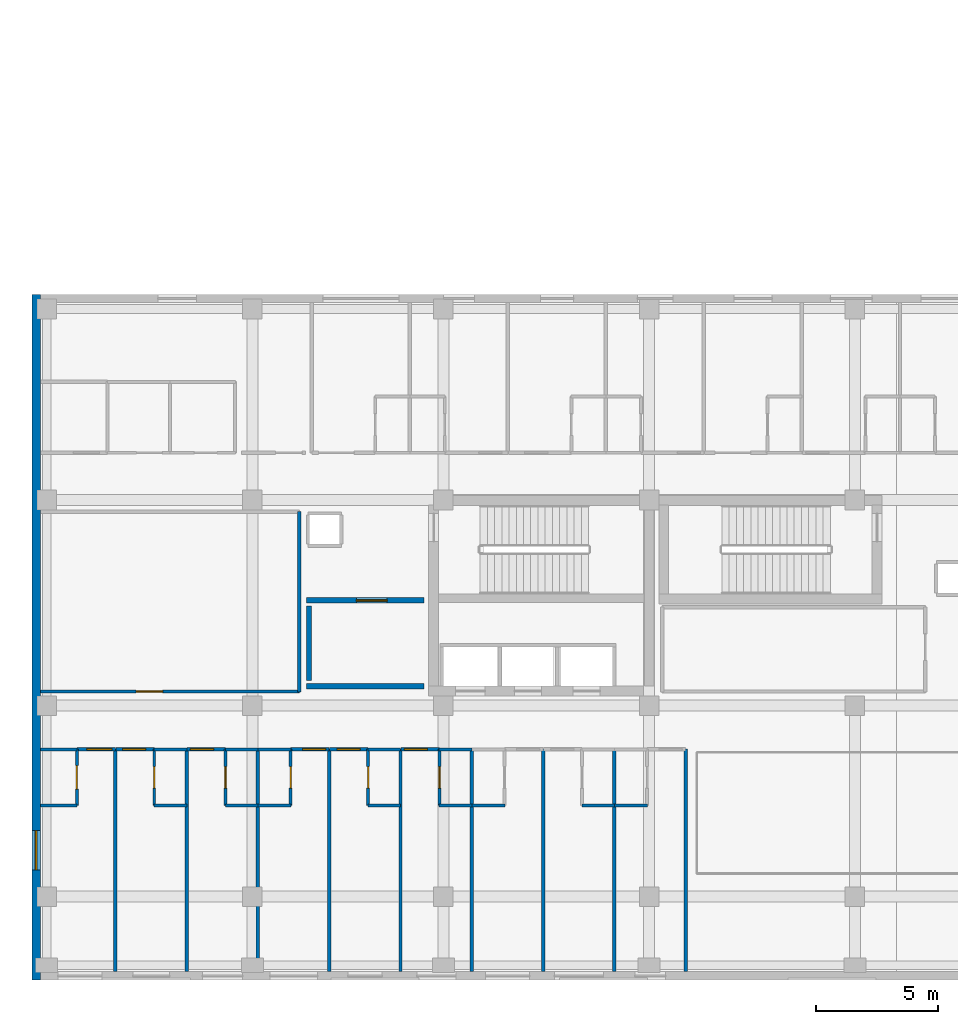
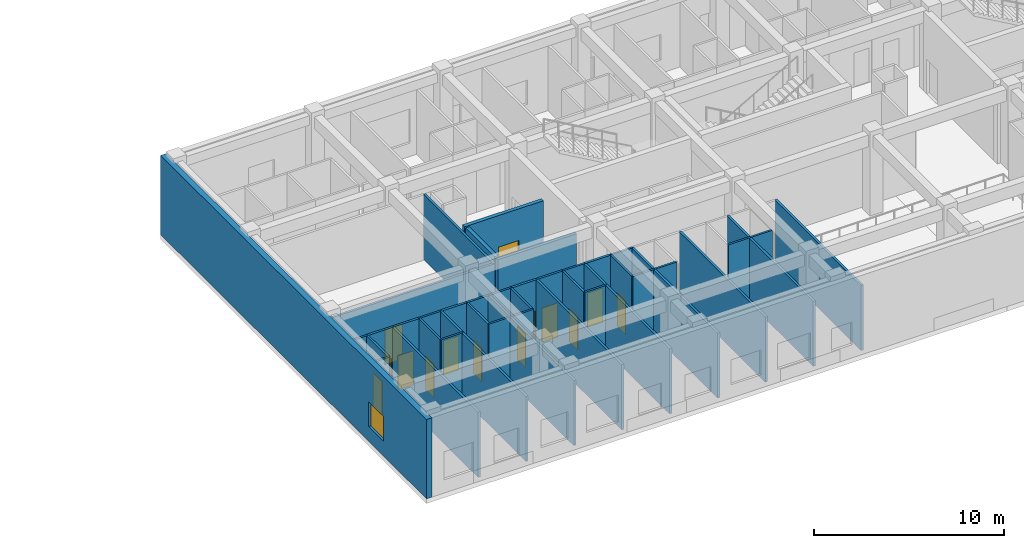
# One storey, part 101 of 139: 42 walls, 14 doors, 1 window, 15 openings.
"""IFC4 building model written with IfcOpenShell, lengths in metres."""

from ifc_helpers import new_model, si_unit, direction, frame, frame_2d, origin, place, context, subcontext, project, spatial, rectangle, extrude, material, layer, layer_set, type_object, element, fill, save


model = new_model("IFC4")

# Units and contexts
model_context = context("Model", 3, precision=1e-05, world=origin(), true_north=direction((0.0, 1.0)))
body_context = subcontext(model_context, "Body", "Model", "MODEL_VIEW")
ifc_project = project(units=[si_unit("LENGTHUNIT", "METRE"), si_unit("AREAUNIT", "SQUARE_METRE"), si_unit("VOLUMEUNIT", "CUBIC_METRE"), si_unit("PLANEANGLEUNIT", "RADIAN"), si_unit("MASSUNIT", "GRAM", prefix="KILO")], contexts=[model_context])

# Site, building, storey
site_placement = place(None, origin())
site = spatial("IfcSite", under=ifc_project, at=site_placement, CompositionType="ELEMENT")
building_placement = place(site_placement, origin())
building = spatial("IfcBuilding", under=site, at=building_placement, Name="Zayran Congress Hotel", CompositionType="ELEMENT")
storey_placement = place(building_placement, frame((0.0, 0.0, 5.39990234375)))
storey = spatial("IfcBuildingStorey", under=building, at=storey_placement, Name="L01", CompositionType="ELEMENT", Elevation=5.39990234375)

# Wall, opening, window
ifc_material_1 = material(Name="Hajar Ma'ani limestone and insulated concrete C32/40", Category="masonry")
ifc_layer_1 = layer(ifc_material_1, 0.340087890625)
ifc_layer_set_1 = layer_set([ifc_layer_1], Name="Hajar Ma'ani limestone and insulated concrete C32/40")
wall_type_1 = type_object("IfcWallType", Name="WL-EX-340", PredefinedType="SOLIDWALL", material=ifc_layer_set_1)
wall_1_placement = place(storey_placement, frame((8.570068359375, 6.0, 0.0), z_axis=(0.0, 0.0, 1.0), x_axis=(0.0, 1.0, 0.0)))
wall_1 = element("IfcWall", 1, at=wall_1_placement, inside=storey, type_object=wall_type_1, Name="EW-V5-W-L01", PredefinedType="SOLIDWALL", context=body_context, shape_type="SweptSolid", body=[
    extrude(rectangle(XDim=28.0, YDim=0.340087890625, at=frame_2d((14.0, 0.0))), origin(), (0.0, 0.0, 1.0), 5.10009765625),
])
opening_1_placement = place(wall_1_placement, frame((4.5, 0.0, 0.949951171875)))
opening_1 = element("IfcOpeningElement", 2, at=opening_1_placement, cuts=wall_1, Name="Opening WN-15", PredefinedType="OPENING", context=body_context, shape_type="SweptSolid", body=[
    extrude(rectangle(XDim=1.60009765625, YDim=1.60009765625, at=frame_2d((0.800048828125, 0.800048828125))), frame((0.0, 0.179931640625, 0.0), z_axis=(0.0, -1.0, 0.0), x_axis=(1.0, 0.0, 0.0)), (0.0, 0.0, 1.0), 0.360107421875),
])
ifc_material_2 = material(Name="Anodised aluminium and low-E insulated glass", Category="aluminium")
window_type = type_object("IfcWindowType", Name="TP-WN-15", PartitioningType="SINGLE_PANEL", PredefinedType="WINDOW", material=ifc_material_2)
window_placement = place(opening_1_placement, origin())
window = element("IfcWindow", 3, at=window_placement, inside=storey, type_object=window_type, Name="WIN-V5W-L01", OverallHeight=1.60009765625, OverallWidth=1.60009765625, PartitioningType="SINGLE_PANEL", PredefinedType="WINDOW", context=body_context, shape_type="SweptSolid", body=[
    extrude(rectangle(XDim=1.60009765625, YDim=1.60009765625, at=frame_2d((0.800048828125, 0.800048828125))), frame((0.0, 0.030029296875, 0.0), z_axis=(0.0, -1.0, 0.0), x_axis=(1.0, 0.0, 0.0)), (0.0, 0.0, 1.0), 0.06005859375),
])
fill(opening_1, window)

# Wall
ifc_material_3 = material(Name="Concrete C32/40 fire wall", Category="concrete")
ifc_layer_2 = layer(ifc_material_3, 0.219970703125)
ifc_layer_set_2 = layer_set([ifc_layer_2], Name="Concrete C32/40 fire wall")
wall_type_2 = type_object("IfcWallType", Name="WL-FF-220", PredefinedType="SOLIDWALL", material=ifc_layer_set_2)
wall_2_placement = place(storey_placement, frame((19.60009765625, 18.0, 0.0), z_axis=(0.0, 0.0, 1.0), x_axis=(1.0, 0.0, 0.0)))
element("IfcWall", 4, at=wall_2_placement, inside=storey, type_object=wall_type_2, Name="FFWL-C-V5W-L01-S", PredefinedType="SOLIDWALL", context=body_context, shape_type="SweptSolid", body=[
    extrude(rectangle(XDim=4.7998046875, YDim=0.219970703125, at=frame_2d((2.39990234375, 0.0))), origin(), (0.0, 0.0, 1.0), 4.22998046875),
])

# Wall, opening, door
wall_3_placement = place(storey_placement, frame((19.60009765625, 21.5, 0.0), z_axis=(0.0, 0.0, 1.0), x_axis=(1.0, 0.0, 0.0)))
wall_3 = element("IfcWall", 5, at=wall_3_placement, inside=storey, type_object=wall_type_2, Name="FFWL-C-V5W-L01-N", PredefinedType="SOLIDWALL", context=body_context, shape_type="SweptSolid", body=[
    extrude(rectangle(XDim=4.7998046875, YDim=0.219970703125, at=frame_2d((2.39990234375, 0.0))), origin(), (0.0, 0.0, 1.0), 4.22998046875),
])
opening_2_placement = place(wall_3_placement, frame((2.050048828125, 0.0, 0.0)))
opening_2 = element("IfcOpeningElement", 6, at=opening_2_placement, cuts=wall_3, Name="Opening DR-FF-60", PredefinedType="OPENING", context=body_context, shape_type="SweptSolid", body=[
    extrude(rectangle(XDim=1.25, YDim=2.199951171875, at=frame_2d((0.625, 1.10009765625))), frame((0.0, 0.119873046875, 0.0), z_axis=(0.0, -1.0, 0.0), x_axis=(1.0, 0.0, 0.0)), (0.0, 0.0, 1.0), 0.239990234375),
])
ifc_material_4 = material(Name="Painted steel smoke-seal fire door", Category="steel")
door_type_1 = type_object("IfcDoorType", Name="TP-DR-FF-60", OperationType="NOTDEFINED", PredefinedType="DOOR", material=ifc_material_4)
door_1_placement = place(opening_2_placement, origin())
door_1 = element("IfcDoor", 7, at=door_1_placement, inside=storey, type_object=door_type_1, Name="Firefighting Lift Lobby Door C-V5W L01", OperationType="SINGLE_SWING_RIGHT", OverallHeight=2.199951171875, OverallWidth=1.25, PredefinedType="DOOR", context=body_context, shape_type="SweptSolid", body=[
    extrude(rectangle(XDim=1.25, YDim=2.199951171875, at=frame_2d((0.625, 1.10009765625))), frame((0.0, 0.02490234375, 0.0), z_axis=(0.0, -1.0, 0.0), x_axis=(1.0, 0.0, 0.0)), (0.0, 0.0, 1.0), 0.050048828125),
])
fill(opening_2, door_1)

# Wall
wall_4_placement = place(storey_placement, frame((19.7099609375, 18.219970703125, 0.0), z_axis=(0.0, 0.0, 1.0), x_axis=(0.0, 1.0, 0.0)))
element("IfcWall", 8, at=wall_4_placement, inside=storey, type_object=wall_type_2, Name="FFWL-C-V5W-L01-SD", PredefinedType="SOLIDWALL", context=body_context, shape_type="SweptSolid", body=[
    extrude(rectangle(XDim=3.06005859375, YDim=0.219970703125, at=frame_2d((1.530029296875, 0.0))), origin(), (0.0, 0.0, 1.0), 4.22998046875),
])

# Wall, opening, door
ifc_material_5 = material(Name="Hospitality guestroom acoustic partition", Category="gypsum")
ifc_layer_3 = layer(ifc_material_5, 0.139892578125)
ifc_layer_set_3 = layer_set([ifc_layer_3], Name="Hospitality guestroom acoustic partition")
wall_type_3 = type_object("IfcWallType", Name="WL-PT-140", PredefinedType="PARTITIONING", material=ifc_layer_set_3)
wall_5_placement = place(storey_placement, frame((8.739990234375, 17.780029296875, 0.0), z_axis=(0.0, 0.0, 1.0), x_axis=(1.0, 0.0, 0.0)))
wall_5 = element("IfcWall", 9, at=wall_5_placement, inside=storey, type_object=wall_type_3, Name="IW-L01-0446", PredefinedType="PARTITIONING", context=body_context, shape_type="SweptSolid", body=[
    extrude(rectangle(XDim=10.590087890625, YDim=0.139892578125, at=frame_2d((5.294921875, 0.0))), origin(), (0.0, 0.0, 1.0), 4.18017578125),
])
opening_3_placement = place(wall_5_placement, frame((3.909912109375, 0.0, 0.0)))
opening_3 = element("IfcOpeningElement", 10, at=opening_3_placement, cuts=wall_5, Name="Opening DR-MT-01", PredefinedType="OPENING", context=body_context, shape_type="SweptSolid", body=[
    extrude(rectangle(XDim=1.080078125, YDim=2.25, at=frame_2d((0.5400390625, 1.125))), frame((0.0, 0.079833984375, 0.0), z_axis=(0.0, -1.0, 0.0), x_axis=(1.0, 0.0, 0.0)), (0.0, 0.0, 1.0), 0.159912109375),
])
ifc_material_6 = material(Name="Acoustic timber seminar room door", Category="wood")
door_type_2 = type_object("IfcDoorType", Name="TP-DR-MT-01", OperationType="NOTDEFINED", PredefinedType="DOOR", material=ifc_material_6)
door_2_placement = place(opening_3_placement, origin())
door_2 = element("IfcDoor", 11, at=door_2_placement, inside=storey, type_object=door_type_2, Name="Delegate Study Salon West L01 Door", OperationType="SINGLE_SWING_RIGHT", OverallHeight=2.25, OverallWidth=1.080078125, PredefinedType="DOOR", context=body_context, shape_type="SweptSolid", body=[
    extrude(rectangle(XDim=1.080078125, YDim=2.25, at=frame_2d((0.5400390625, 1.125))), frame((0.0, 0.02490234375, 0.0), z_axis=(0.0, -1.0, 0.0), x_axis=(1.0, 0.0, 0.0)), (0.0, 0.0, 1.0), 0.050048828125),
])
fill(opening_3, door_2)

wall_6_placement = place(storey_placement, frame((10.22998046875, 15.419921875, 0.0), z_axis=(0.0, 0.0, 1.0), x_axis=(1.0, 0.0, 0.0)))
wall_6 = element("IfcWall", 12, at=wall_6_placement, inside=storey, type_object=wall_type_3, Name="IW-L01-0448", PredefinedType="PARTITIONING", context=body_context, shape_type="SweptSolid", body=[
    extrude(rectangle(XDim=1.571044921875, YDim=0.139892578125, at=frame_2d((0.78564453125, 0.0))), origin(), (0.0, 0.0, 1.0), 4.18017578125),
])
opening_4_placement = place(wall_6_placement, frame((0.410888671875, 0.0, 0.0)))
opening_4 = element("IfcOpeningElement", 13, at=opening_4_placement, cuts=wall_6, Name="Opening DR-GR-02", PredefinedType="OPENING", context=body_context, shape_type="SweptSolid", body=[
    extrude(rectangle(XDim=1.02001953125, YDim=2.199951171875, at=frame_2d((0.510009765625, 1.10009765625))), frame((0.0, 0.079833984375, 0.0), z_axis=(0.0, -1.0, 0.0), x_axis=(1.0, 0.0, 0.0)), (0.0, 0.0, 1.0), 0.159912109375),
])
ifc_material_7 = material(Name="Accessible acoustic walnut veneer entry door", Category="wood")
door_type_3 = type_object("IfcDoorType", Name="TP-DR-GR-02", OperationType="NOTDEFINED", PredefinedType="DOOR", material=ifc_material_7)
door_3_placement = place(opening_4_placement, origin())
door_3 = element("IfcDoor", 14, at=door_3_placement, inside=storey, type_object=door_type_3, Name="Accessible Guest Room L01-01 Door", OperationType="SINGLE_SWING_RIGHT", OverallHeight=2.199951171875, OverallWidth=1.02001953125, PredefinedType="DOOR", context=body_context, shape_type="SweptSolid", body=[
    extrude(rectangle(XDim=1.02001953125, YDim=2.199951171875, at=frame_2d((0.510009765625, 1.10009765625))), frame((0.0, 0.02490234375, 0.0), z_axis=(0.0, -1.0, 0.0), x_axis=(1.0, 0.0, 0.0)), (0.0, 0.0, 1.0), 0.050048828125),
])
fill(opening_4, door_3)

wall_7_placement = place(storey_placement, frame((11.821044921875, 15.419921875, 0.0), z_axis=(0.0, 0.0, 1.0), x_axis=(1.0, 0.0, 0.0)))
wall_7 = element("IfcWall", 15, at=wall_7_placement, inside=storey, type_object=wall_type_3, Name="IW-L01-0449", PredefinedType="PARTITIONING", context=body_context, shape_type="SweptSolid", body=[
    extrude(rectangle(XDim=1.571044921875, YDim=0.139892578125, at=frame_2d((0.78564453125, 0.0))), origin(), (0.0, 0.0, 1.0), 4.18017578125),
])
opening_5_placement = place(wall_7_placement, frame((0.278076171875, 0.0, 0.0)))
opening_5 = element("IfcOpeningElement", 16, at=opening_5_placement, cuts=wall_7, Name="Opening DR-GR-01", PredefinedType="OPENING", context=body_context, shape_type="SweptSolid", body=[
    extrude(rectangle(XDim=0.93994140625, YDim=2.199951171875, at=frame_2d((0.469970703125, 1.10009765625))), frame((0.0, 0.079833984375, 0.0), z_axis=(0.0, -1.0, 0.0), x_axis=(1.0, 0.0, 0.0)), (0.0, 0.0, 1.0), 0.159912109375),
])
ifc_material_8 = material(Name="Acoustic walnut veneer fire-rated entry door", Category="wood")
door_type_4 = type_object("IfcDoorType", Name="TP-DR-GR-01", OperationType="NOTDEFINED", PredefinedType="DOOR", material=ifc_material_8)
door_4_placement = place(opening_5_placement, origin())
door_4 = element("IfcDoor", 17, at=door_4_placement, inside=storey, type_object=door_type_4, Name="Guest Room L01-02 Door", OperationType="SINGLE_SWING_LEFT", OverallHeight=2.199951171875, OverallWidth=0.93994140625, PredefinedType="DOOR", context=body_context, shape_type="SweptSolid", body=[
    extrude(rectangle(XDim=0.93994140625, YDim=2.199951171875, at=frame_2d((0.469970703125, 1.10009765625))), frame((0.0, 0.02490234375, 0.0), z_axis=(0.0, -1.0, 0.0), x_axis=(1.0, 0.0, 0.0)), (0.0, 0.0, 1.0), 0.050048828125),
])
fill(opening_5, door_4)

wall_8_placement = place(storey_placement, frame((14.73193359375, 15.419921875, 0.0), z_axis=(0.0, 0.0, 1.0), x_axis=(1.0, 0.0, 0.0)))
wall_8 = element("IfcWall", 18, at=wall_8_placement, inside=storey, type_object=wall_type_3, Name="IW-L01-0450", PredefinedType="PARTITIONING", context=body_context, shape_type="SweptSolid", body=[
    extrude(rectangle(XDim=1.571044921875, YDim=0.139892578125, at=frame_2d((0.78564453125, 0.0))), origin(), (0.0, 0.0, 1.0), 4.18017578125),
])
opening_6_placement = place(wall_8_placement, frame((0.139892578125, 0.0, 0.0)))
opening_6 = element("IfcOpeningElement", 19, at=opening_6_placement, cuts=wall_8, Name="Opening DR-GR-01", PredefinedType="OPENING", context=body_context, shape_type="SweptSolid", body=[
    extrude(rectangle(XDim=0.93994140625, YDim=2.199951171875, at=frame_2d((0.469970703125, 1.10009765625))), frame((0.0, 0.079833984375, 0.0), z_axis=(0.0, -1.0, 0.0), x_axis=(1.0, 0.0, 0.0)), (0.0, 0.0, 1.0), 0.159912109375),
])
door_5_placement = place(opening_6_placement, origin())
door_5 = element("IfcDoor", 20, at=door_5_placement, inside=storey, type_object=door_type_4, Name="Guest Room L01-03 Door", OperationType="SINGLE_SWING_RIGHT", OverallHeight=2.199951171875, OverallWidth=0.93994140625, PredefinedType="DOOR", context=body_context, shape_type="SweptSolid", body=[
    extrude(rectangle(XDim=0.93994140625, YDim=2.199951171875, at=frame_2d((0.469970703125, 1.10009765625))), frame((0.0, 0.02490234375, 0.0), z_axis=(0.0, -1.0, 0.0), x_axis=(1.0, 0.0, 0.0)), (0.0, 0.0, 1.0), 0.050048828125),
])
fill(opening_6, door_5)

wall_9_placement = place(storey_placement, frame((18.962890625, 15.419921875, 0.0), z_axis=(0.0, 0.0, 1.0), x_axis=(1.0, 0.0, 0.0)))
wall_9 = element("IfcWall", 21, at=wall_9_placement, inside=storey, type_object=wall_type_3, Name="IW-L01-0451", PredefinedType="PARTITIONING", context=body_context, shape_type="SweptSolid", body=[
    extrude(rectangle(XDim=1.571044921875, YDim=0.139892578125, at=frame_2d((0.78564453125, 0.0))), origin(), (0.0, 0.0, 1.0), 4.18017578125),
])
opening_7_placement = place(wall_9_placement, frame((0.490966796875, 0.0, 0.0)))
opening_7 = element("IfcOpeningElement", 22, at=opening_7_placement, cuts=wall_9, Name="Opening DR-GR-01", PredefinedType="OPENING", context=body_context, shape_type="SweptSolid", body=[
    extrude(rectangle(XDim=0.93994140625, YDim=2.199951171875, at=frame_2d((0.469970703125, 1.10009765625))), frame((0.0, 0.079833984375, 0.0), z_axis=(0.0, -1.0, 0.0), x_axis=(1.0, 0.0, 0.0)), (0.0, 0.0, 1.0), 0.159912109375),
])
door_6_placement = place(opening_7_placement, origin())
door_6 = element("IfcDoor", 23, at=door_6_placement, inside=storey, type_object=door_type_4, Name="Guest Room L01-04 Door", OperationType="SINGLE_SWING_LEFT", OverallHeight=2.199951171875, OverallWidth=0.93994140625, PredefinedType="DOOR", context=body_context, shape_type="SweptSolid", body=[
    extrude(rectangle(XDim=0.93994140625, YDim=2.199951171875, at=frame_2d((0.469970703125, 1.10009765625))), frame((0.0, 0.02490234375, 0.0), z_axis=(0.0, -1.0, 0.0), x_axis=(1.0, 0.0, 0.0)), (0.0, 0.0, 1.0), 0.050048828125),
])
fill(opening_7, door_6)

wall_10_placement = place(storey_placement, frame((20.553955078125, 15.419921875, 0.0), z_axis=(0.0, 0.0, 1.0), x_axis=(1.0, 0.0, 0.0)))
wall_10 = element("IfcWall", 24, at=wall_10_placement, inside=storey, type_object=wall_type_3, Name="IW-L01-0452", PredefinedType="PARTITIONING", context=body_context, shape_type="SweptSolid", body=[
    extrude(rectangle(XDim=1.572021484375, YDim=0.139892578125, at=frame_2d((0.7861328125, 0.0))), origin(), (0.0, 0.0, 1.0), 4.18017578125),
])
opening_8_placement = place(wall_10_placement, frame((0.302978515625, 0.0, 0.0)))
opening_8 = element("IfcOpeningElement", 25, at=opening_8_placement, cuts=wall_10, Name="Opening DR-GR-01", PredefinedType="OPENING", context=body_context, shape_type="SweptSolid", body=[
    extrude(rectangle(XDim=0.93994140625, YDim=2.199951171875, at=frame_2d((0.469970703125, 1.10009765625))), frame((0.0, 0.079833984375, 0.0), z_axis=(0.0, -1.0, 0.0), x_axis=(1.0, 0.0, 0.0)), (0.0, 0.0, 1.0), 0.159912109375),
])
door_7_placement = place(opening_8_placement, origin())
door_7 = element("IfcDoor", 26, at=door_7_placement, inside=storey, type_object=door_type_4, Name="Junior Suite L01-05 Door", OperationType="SINGLE_SWING_RIGHT", OverallHeight=2.199951171875, OverallWidth=0.93994140625, PredefinedType="DOOR", context=body_context, shape_type="SweptSolid", body=[
    extrude(rectangle(XDim=0.93994140625, YDim=2.199951171875, at=frame_2d((0.469970703125, 1.10009765625))), frame((0.0, 0.02490234375, 0.0), z_axis=(0.0, -1.0, 0.0), x_axis=(1.0, 0.0, 0.0)), (0.0, 0.0, 1.0), 0.050048828125),
])
fill(opening_8, door_7)

wall_11_placement = place(storey_placement, frame((23.466064453125, 15.419921875, 0.0), z_axis=(0.0, 0.0, 1.0), x_axis=(1.0, 0.0, 0.0)))
wall_11 = element("IfcWall", 27, at=wall_11_placement, inside=storey, type_object=wall_type_3, Name="IW-L01-0453", PredefinedType="PARTITIONING", context=body_context, shape_type="SweptSolid", body=[
    extrude(rectangle(XDim=1.571044921875, YDim=0.139892578125, at=frame_2d((0.78564453125, 0.0))), origin(), (0.0, 0.0, 1.0), 4.18017578125),
])
opening_9_placement = place(wall_11_placement, frame((0.139892578125, 0.0, 0.0)))
opening_9 = element("IfcOpeningElement", 28, at=opening_9_placement, cuts=wall_11, Name="Opening DR-GR-01", PredefinedType="OPENING", context=body_context, shape_type="SweptSolid", body=[
    extrude(rectangle(XDim=0.93994140625, YDim=2.199951171875, at=frame_2d((0.469970703125, 1.10009765625))), frame((0.0, 0.079833984375, 0.0), z_axis=(0.0, -1.0, 0.0), x_axis=(1.0, 0.0, 0.0)), (0.0, 0.0, 1.0), 0.159912109375),
])
door_8_placement = place(opening_9_placement, origin())
door_8 = element("IfcDoor", 29, at=door_8_placement, inside=storey, type_object=door_type_4, Name="Guest Room L01-06 Door", OperationType="SINGLE_SWING_LEFT", OverallHeight=2.199951171875, OverallWidth=0.93994140625, PredefinedType="DOOR", context=body_context, shape_type="SweptSolid", body=[
    extrude(rectangle(XDim=0.93994140625, YDim=2.199951171875, at=frame_2d((0.469970703125, 1.10009765625))), frame((0.0, 0.02490234375, 0.0), z_axis=(0.0, -1.0, 0.0), x_axis=(1.0, 0.0, 0.0)), (0.0, 0.0, 1.0), 0.050048828125),
])
fill(opening_9, door_8)

# Walls
wall_12_placement = place(storey_placement, frame((19.320068359375, 17.77001953125, 0.0), z_axis=(0.0, 0.0, 1.0), x_axis=(0.0, 1.0, 0.0)))
element("IfcWall", 30, at=wall_12_placement, inside=storey, type_object=wall_type_3, Name="IW-L01-1738", PredefinedType="PARTITIONING", context=body_context, shape_type="SweptSolid", body=[
    extrude(rectangle(XDim=7.35986328125, YDim=0.139892578125, at=frame_2d((3.679931640625, 0.0))), origin(), (0.0, 0.0, 1.0), 4.18017578125),
])
for number, where, z_axis, x_axis, name in (
    (31, (11.801025390625, 6.340087890625, 0.0), (0.0, 0.0, 1.0), (0.0, 1.0, 0.0), "IW-L01-1741"),
    (32, (14.7119140625, 6.340087890625, 0.0), (0.0, 0.0, 1.0), (0.0, 1.0, 0.0), "IW-L01-1742"),
    (33, (17.623046875, 6.340087890625, 0.0), (0.0, 0.0, 1.0), (0.0, 1.0, 0.0), "IW-L01-1743"),
    (34, (20.533935546875, 6.340087890625, 0.0), (0.0, 0.0, 1.0), (0.0, 1.0, 0.0), "IW-L01-1744"),
    (35, (23.446044921875, 6.340087890625, 0.0), (0.0, 0.0, 1.0), (0.0, 1.0, 0.0), "IW-L01-1745"),
    (36, (26.35693359375, 6.340087890625, 0.0), (0.0, 0.0, 1.0), (0.0, 1.0, 0.0), "IW-L01-1746"),
    (37, (29.26806640625, 6.340087890625, 0.0), (0.0, 0.0, 1.0), (0.0, 1.0, 0.0), "IW-L01-1747"),
    (38, (32.178955078125, 6.340087890625, 0.0), (0.0, 0.0, 1.0), (0.0, 1.0, 0.0), "IW-L01-1748"),
    (39, (35.090087890625, 6.340087890625, 0.0), (0.0, 0.0, 1.0), (0.0, 1.0, 0.0), "IW-L01-1749"),
):
    element("IfcWall", number, at=place(storey_placement, frame(where, z_axis=z_axis, x_axis=x_axis)), inside=storey, type_object=wall_type_3, Name=name, PredefinedType="PARTITIONING", context=body_context, shape_type="SweptSolid", body=[
        extrude(rectangle(XDim=9.08984375, YDim=0.139892578125, at=frame_2d((4.544921875, 0.0))), origin(), (0.0, 0.0, 1.0), 4.18017578125),
    ])

# Wall, opening, door
ifc_material_9 = material(Name="Moisture-resistant bathroom partition", Category="gypsum")
ifc_layer_4 = layer(ifc_material_9, 0.1201171875)
ifc_layer_set_4 = layer_set([ifc_layer_4], Name="Moisture-resistant bathroom partition")
wall_type_4 = type_object("IfcWallType", Name="WL-PT-120", PredefinedType="PARTITIONING", material=ifc_layer_set_4)
wall_13_placement = place(storey_placement, frame((10.22998046875, 13.1201171875, 0.0), z_axis=(0.0, 0.0, 1.0), x_axis=(0.0, 1.0, 0.0)))
wall_13 = element("IfcWall", 40, at=wall_13_placement, inside=storey, type_object=wall_type_4, Name="IW-L01-0017", PredefinedType="PARTITIONING", context=body_context, shape_type="SweptSolid", body=[
    extrude(rectangle(XDim=2.309814453125, YDim=0.1201171875, at=frame_2d((1.15478515625, 0.0))), origin(), (0.0, 0.0, 1.0), 4.18017578125),
])
opening_10_placement = place(wall_13_placement, frame((0.675048828125, 0.0, 0.0)))
opening_10 = element("IfcOpeningElement", 41, at=opening_10_placement, cuts=wall_13, Name="Opening DR-BT-02", PredefinedType="OPENING", context=body_context, shape_type="SweptSolid", body=[
    extrude(rectangle(XDim=0.9599609375, YDim=2.14990234375, at=frame_2d((0.47998046875, 1.074951171875))), frame((0.0, 0.070068359375, 0.0), z_axis=(0.0, -1.0, 0.0), x_axis=(1.0, 0.0, 0.0)), (0.0, 0.0, 1.0), 0.14013671875),
])
ifc_material_10 = material(Name="Accessible en-suite bathroom door", Category="steel")
door_type_5 = type_object("IfcDoorType", Name="TP-DR-BT-02", OperationType="NOTDEFINED", PredefinedType="DOOR", material=ifc_material_10)
door_9_placement = place(opening_10_placement, origin())
door_9 = element("IfcDoor", 42, at=door_9_placement, inside=storey, type_object=door_type_5, Name="En-Suite Bathroom L01-01 Door", OperationType="SINGLE_SWING_RIGHT", OverallHeight=2.14990234375, OverallWidth=0.9599609375, PredefinedType="DOOR", context=body_context, shape_type="SweptSolid", body=[
    extrude(rectangle(XDim=0.9599609375, YDim=2.14990234375, at=frame_2d((0.47998046875, 1.074951171875))), frame((0.0, 0.02490234375, 0.0), z_axis=(0.0, -1.0, 0.0), x_axis=(1.0, 0.0, 0.0)), (0.0, 0.0, 1.0), 0.050048828125),
])
fill(opening_10, door_9)

wall_14_placement = place(storey_placement, frame((13.39208984375, 13.1201171875, 0.0), z_axis=(0.0, 0.0, 1.0), x_axis=(0.0, 1.0, 0.0)))
wall_14 = element("IfcWall", 43, at=wall_14_placement, inside=storey, type_object=wall_type_4, Name="IW-L01-0018", PredefinedType="PARTITIONING", context=body_context, shape_type="SweptSolid", body=[
    extrude(rectangle(XDim=2.309814453125, YDim=0.1201171875, at=frame_2d((1.15478515625, 0.0))), origin(), (0.0, 0.0, 1.0), 4.18017578125),
])
opening_11_placement = place(wall_14_placement, frame((0.715087890625, 0.0, 0.0)))
opening_11 = element("IfcOpeningElement", 44, at=opening_11_placement, cuts=wall_14, Name="Opening DR-BT-01", PredefinedType="OPENING", context=body_context, shape_type="SweptSolid", body=[
    extrude(rectangle(XDim=0.8798828125, YDim=2.14990234375, at=frame_2d((0.43994140625, 1.074951171875))), frame((0.0, 0.070068359375, 0.0), z_axis=(0.0, -1.0, 0.0), x_axis=(1.0, 0.0, 0.0)), (0.0, 0.0, 1.0), 0.14013671875),
])
ifc_material_11 = material(Name="Moisture-resistant oak en-suite door", Category="wood")
door_type_6 = type_object("IfcDoorType", Name="TP-DR-BT-01", OperationType="NOTDEFINED", PredefinedType="DOOR", material=ifc_material_11)
door_10_placement = place(opening_11_placement, origin())
door_10 = element("IfcDoor", 45, at=door_10_placement, inside=storey, type_object=door_type_6, Name="En-Suite Bathroom L01-02 Door", OperationType="SINGLE_SWING_LEFT", OverallHeight=2.14990234375, OverallWidth=0.8798828125, PredefinedType="DOOR", context=body_context, shape_type="SweptSolid", body=[
    extrude(rectangle(XDim=0.8798828125, YDim=2.14990234375, at=frame_2d((0.43994140625, 1.074951171875))), frame((0.0, 0.02490234375, 0.0), z_axis=(0.0, -1.0, 0.0), x_axis=(1.0, 0.0, 0.0)), (0.0, 0.0, 1.0), 0.050048828125),
])
fill(opening_11, door_10)

wall_15_placement = place(storey_placement, frame((16.302978515625, 13.1201171875, 0.0), z_axis=(0.0, 0.0, 1.0), x_axis=(0.0, 1.0, 0.0)))
wall_15 = element("IfcWall", 46, at=wall_15_placement, inside=storey, type_object=wall_type_4, Name="IW-L01-0019", PredefinedType="PARTITIONING", context=body_context, shape_type="SweptSolid", body=[
    extrude(rectangle(XDim=2.309814453125, YDim=0.1201171875, at=frame_2d((1.15478515625, 0.0))), origin(), (0.0, 0.0, 1.0), 4.18017578125),
])
opening_12_placement = place(wall_15_placement, frame((0.715087890625, 0.0, 0.0)))
opening_12 = element("IfcOpeningElement", 47, at=opening_12_placement, cuts=wall_15, Name="Opening DR-BT-01", PredefinedType="OPENING", context=body_context, shape_type="SweptSolid", body=[
    extrude(rectangle(XDim=0.8798828125, YDim=2.14990234375, at=frame_2d((0.43994140625, 1.074951171875))), frame((0.0, 0.070068359375, 0.0), z_axis=(0.0, -1.0, 0.0), x_axis=(1.0, 0.0, 0.0)), (0.0, 0.0, 1.0), 0.14013671875),
])
door_11_placement = place(opening_12_placement, origin())
door_11 = element("IfcDoor", 48, at=door_11_placement, inside=storey, type_object=door_type_6, Name="En-Suite Bathroom L01-03 Door", OperationType="SINGLE_SWING_RIGHT", OverallHeight=2.14990234375, OverallWidth=0.8798828125, PredefinedType="DOOR", context=body_context, shape_type="SweptSolid", body=[
    extrude(rectangle(XDim=0.8798828125, YDim=2.14990234375, at=frame_2d((0.43994140625, 1.074951171875))), frame((0.0, 0.02490234375, 0.0), z_axis=(0.0, -1.0, 0.0), x_axis=(1.0, 0.0, 0.0)), (0.0, 0.0, 1.0), 0.050048828125),
])
fill(opening_12, door_11)

wall_16_placement = place(storey_placement, frame((18.962890625, 13.1201171875, 0.0), z_axis=(0.0, 0.0, 1.0), x_axis=(0.0, 1.0, 0.0)))
wall_16 = element("IfcWall", 49, at=wall_16_placement, inside=storey, type_object=wall_type_4, Name="IW-L01-0020", PredefinedType="PARTITIONING", context=body_context, shape_type="SweptSolid", body=[
    extrude(rectangle(XDim=2.309814453125, YDim=0.1201171875, at=frame_2d((1.15478515625, 0.0))), origin(), (0.0, 0.0, 1.0), 4.18017578125),
])
opening_13_placement = place(wall_16_placement, frame((0.715087890625, 0.0, 0.0)))
opening_13 = element("IfcOpeningElement", 50, at=opening_13_placement, cuts=wall_16, Name="Opening DR-BT-01", PredefinedType="OPENING", context=body_context, shape_type="SweptSolid", body=[
    extrude(rectangle(XDim=0.8798828125, YDim=2.14990234375, at=frame_2d((0.43994140625, 1.074951171875))), frame((0.0, 0.070068359375, 0.0), z_axis=(0.0, -1.0, 0.0), x_axis=(1.0, 0.0, 0.0)), (0.0, 0.0, 1.0), 0.14013671875),
])
door_12_placement = place(opening_13_placement, origin())
door_12 = element("IfcDoor", 51, at=door_12_placement, inside=storey, type_object=door_type_6, Name="En-Suite Bathroom L01-04 Door", OperationType="SINGLE_SWING_LEFT", OverallHeight=2.14990234375, OverallWidth=0.8798828125, PredefinedType="DOOR", context=body_context, shape_type="SweptSolid", body=[
    extrude(rectangle(XDim=0.8798828125, YDim=2.14990234375, at=frame_2d((0.43994140625, 1.074951171875))), frame((0.0, 0.02490234375, 0.0), z_axis=(0.0, -1.0, 0.0), x_axis=(1.0, 0.0, 0.0)), (0.0, 0.0, 1.0), 0.050048828125),
])
fill(opening_13, door_12)

wall_17_placement = place(storey_placement, frame((22.1259765625, 13.1201171875, 0.0), z_axis=(0.0, 0.0, 1.0), x_axis=(0.0, 1.0, 0.0)))
wall_17 = element("IfcWall", 52, at=wall_17_placement, inside=storey, type_object=wall_type_4, Name="IW-L01-0021", PredefinedType="PARTITIONING", context=body_context, shape_type="SweptSolid", body=[
    extrude(rectangle(XDim=2.309814453125, YDim=0.1201171875, at=frame_2d((1.15478515625, 0.0))), origin(), (0.0, 0.0, 1.0), 4.18017578125),
])
opening_14_placement = place(wall_17_placement, frame((0.715087890625, 0.0, 0.0)))
opening_14 = element("IfcOpeningElement", 53, at=opening_14_placement, cuts=wall_17, Name="Opening DR-BT-01", PredefinedType="OPENING", context=body_context, shape_type="SweptSolid", body=[
    extrude(rectangle(XDim=0.8798828125, YDim=2.14990234375, at=frame_2d((0.43994140625, 1.074951171875))), frame((0.0, 0.070068359375, 0.0), z_axis=(0.0, -1.0, 0.0), x_axis=(1.0, 0.0, 0.0)), (0.0, 0.0, 1.0), 0.14013671875),
])
door_13_placement = place(opening_14_placement, origin())
door_13 = element("IfcDoor", 54, at=door_13_placement, inside=storey, type_object=door_type_6, Name="En-Suite Bathroom L01-05 Door", OperationType="SINGLE_SWING_RIGHT", OverallHeight=2.14990234375, OverallWidth=0.8798828125, PredefinedType="DOOR", context=body_context, shape_type="SweptSolid", body=[
    extrude(rectangle(XDim=0.8798828125, YDim=2.14990234375, at=frame_2d((0.43994140625, 1.074951171875))), frame((0.0, 0.02490234375, 0.0), z_axis=(0.0, -1.0, 0.0), x_axis=(1.0, 0.0, 0.0)), (0.0, 0.0, 1.0), 0.050048828125),
])
fill(opening_14, door_13)

wall_18_placement = place(storey_placement, frame((25.037109375, 13.1201171875, 0.0), z_axis=(0.0, 0.0, 1.0), x_axis=(0.0, 1.0, 0.0)))
wall_18 = element("IfcWall", 55, at=wall_18_placement, inside=storey, type_object=wall_type_4, Name="IW-L01-0022", PredefinedType="PARTITIONING", context=body_context, shape_type="SweptSolid", body=[
    extrude(rectangle(XDim=2.309814453125, YDim=0.1201171875, at=frame_2d((1.15478515625, 0.0))), origin(), (0.0, 0.0, 1.0), 4.18017578125),
])
opening_15_placement = place(wall_18_placement, frame((0.715087890625, 0.0, 0.0)))
opening_15 = element("IfcOpeningElement", 56, at=opening_15_placement, cuts=wall_18, Name="Opening DR-BT-01", PredefinedType="OPENING", context=body_context, shape_type="SweptSolid", body=[
    extrude(rectangle(XDim=0.8798828125, YDim=2.14990234375, at=frame_2d((0.43994140625, 1.074951171875))), frame((0.0, 0.070068359375, 0.0), z_axis=(0.0, -1.0, 0.0), x_axis=(1.0, 0.0, 0.0)), (0.0, 0.0, 1.0), 0.14013671875),
])
door_14_placement = place(opening_15_placement, origin())
door_14 = element("IfcDoor", 57, at=door_14_placement, inside=storey, type_object=door_type_6, Name="En-Suite Bathroom L01-06 Door", OperationType="SINGLE_SWING_LEFT", OverallHeight=2.14990234375, OverallWidth=0.8798828125, PredefinedType="DOOR", context=body_context, shape_type="SweptSolid", body=[
    extrude(rectangle(XDim=0.8798828125, YDim=2.14990234375, at=frame_2d((0.43994140625, 1.074951171875))), frame((0.0, 0.02490234375, 0.0), z_axis=(0.0, -1.0, 0.0), x_axis=(1.0, 0.0, 0.0)), (0.0, 0.0, 1.0), 0.050048828125),
])
fill(opening_15, door_14)

# Walls
for number, where, z_axis, x_axis, name in (
    (58, (8.739990234375, 13.1298828125, 0.0), (0.0, 0.0, 1.0), (1.0, 0.0, 0.0), "IW-L01-0901"),
    (59, (8.739990234375, 15.419921875, 0.0), (0.0, 0.0, 1.0), (1.0, 0.0, 0.0), "IW-L01-0902"),
):
    element("IfcWall", number, at=place(storey_placement, frame(where, z_axis=z_axis, x_axis=x_axis)), inside=storey, type_object=wall_type_4, Name=name, PredefinedType="PARTITIONING", context=body_context, shape_type="SweptSolid", body=[
        extrude(rectangle(XDim=1.5, YDim=0.1201171875, at=frame_2d((0.75, 0.0))), origin(), (0.0, 0.0, 1.0), 4.18017578125),
    ])
for number, where, z_axis, x_axis, name in (
    (60, (13.382080078125, 13.1298828125, 0.0), (0.0, 0.0, 1.0), (1.0, 0.0, 0.0), "IW-L01-0903"),
    (61, (13.382080078125, 15.419921875, 0.0), (0.0, 0.0, 1.0), (1.0, 0.0, 0.0), "IW-L01-0904"),
):
    element("IfcWall", number, at=place(storey_placement, frame(where, z_axis=z_axis, x_axis=x_axis)), inside=storey, type_object=wall_type_4, Name=name, PredefinedType="PARTITIONING", context=body_context, shape_type="SweptSolid", body=[
        extrude(rectangle(XDim=1.33984375, YDim=0.1201171875, at=frame_2d((0.669921875, 0.0))), origin(), (0.0, 0.0, 1.0), 4.18017578125),
    ])
for number, where, z_axis, x_axis, name in (
    (62, (16.29296875, 13.1298828125, 0.0), (0.0, 0.0, 1.0), (1.0, 0.0, 0.0), "IW-L01-0905"),
    (63, (16.29296875, 15.419921875, 0.0), (0.0, 0.0, 1.0), (1.0, 0.0, 0.0), "IW-L01-0906"),
):
    element("IfcWall", number, at=place(storey_placement, frame(where, z_axis=z_axis, x_axis=x_axis)), inside=storey, type_object=wall_type_4, Name=name, PredefinedType="PARTITIONING", context=body_context, shape_type="SweptSolid", body=[
        extrude(rectangle(XDim=1.340087890625, YDim=0.1201171875, at=frame_2d((0.669921875, 0.0))), origin(), (0.0, 0.0, 1.0), 4.18017578125),
    ])
for number, where, z_axis, x_axis, name in (
    (64, (17.633056640625, 13.1298828125, 0.0), (0.0, 0.0, 1.0), (1.0, 0.0, 0.0), "IW-L01-0907"),
    (65, (17.633056640625, 15.419921875, 0.0), (0.0, 0.0, 1.0), (1.0, 0.0, 0.0), "IW-L01-0908"),
):
    element("IfcWall", number, at=place(storey_placement, frame(where, z_axis=z_axis, x_axis=x_axis)), inside=storey, type_object=wall_type_4, Name=name, PredefinedType="PARTITIONING", context=body_context, shape_type="SweptSolid", body=[
        extrude(rectangle(XDim=1.33984375, YDim=0.1201171875, at=frame_2d((0.669921875, 0.0))), origin(), (0.0, 0.0, 1.0), 4.18017578125),
    ])
for number, where, z_axis, x_axis, name in (
    (66, (22.115966796875, 13.1298828125, 0.0), (0.0, 0.0, 1.0), (1.0, 0.0, 0.0), "IW-L01-0909"),
    (67, (22.115966796875, 15.419921875, 0.0), (0.0, 0.0, 1.0), (1.0, 0.0, 0.0), "IW-L01-0910"),
):
    element("IfcWall", number, at=place(storey_placement, frame(where, z_axis=z_axis, x_axis=x_axis)), inside=storey, type_object=wall_type_4, Name=name, PredefinedType="PARTITIONING", context=body_context, shape_type="SweptSolid", body=[
        extrude(rectangle(XDim=1.340087890625, YDim=0.1201171875, at=frame_2d((0.669921875, 0.0))), origin(), (0.0, 0.0, 1.0), 4.18017578125),
    ])
for number, where, z_axis, x_axis, name in (
    (68, (25.027099609375, 13.1298828125, 0.0), (0.0, 0.0, 1.0), (1.0, 0.0, 0.0), "IW-L01-0911"),
    (69, (25.027099609375, 15.419921875, 0.0), (0.0, 0.0, 1.0), (1.0, 0.0, 0.0), "IW-L01-0912"),
):
    element("IfcWall", number, at=place(storey_placement, frame(where, z_axis=z_axis, x_axis=x_axis)), inside=storey, type_object=wall_type_4, Name=name, PredefinedType="PARTITIONING", context=body_context, shape_type="SweptSolid", body=[
        extrude(rectangle(XDim=1.33984375, YDim=0.1201171875, at=frame_2d((0.669921875, 0.0))), origin(), (0.0, 0.0, 1.0), 4.18017578125),
    ])
wall_19_placement = place(storey_placement, frame((26.366943359375, 13.1298828125, 0.0), z_axis=(0.0, 0.0, 1.0), x_axis=(1.0, 0.0, 0.0)))
element("IfcWall", 70, at=wall_19_placement, inside=storey, type_object=wall_type_4, Name="IW-L01-0913", PredefinedType="PARTITIONING", context=body_context, shape_type="SweptSolid", body=[
    extrude(rectangle(XDim=1.340087890625, YDim=0.1201171875, at=frame_2d((0.669921875, 0.0))), origin(), (0.0, 0.0, 1.0), 4.18017578125),
])
wall_20_placement = place(storey_placement, frame((30.84912109375, 13.1298828125, 0.0), z_axis=(0.0, 0.0, 1.0), x_axis=(1.0, 0.0, 0.0)))
element("IfcWall", 71, at=wall_20_placement, inside=storey, type_object=wall_type_4, Name="IW-L01-0915", PredefinedType="PARTITIONING", context=body_context, shape_type="SweptSolid", body=[
    extrude(rectangle(XDim=1.33984375, YDim=0.1201171875, at=frame_2d((0.669921875, 0.0))), origin(), (0.0, 0.0, 1.0), 4.18017578125),
])
wall_21_placement = place(storey_placement, frame((32.18896484375, 13.1298828125, 0.0), z_axis=(0.0, 0.0, 1.0), x_axis=(1.0, 0.0, 0.0)))
element("IfcWall", 72, at=wall_21_placement, inside=storey, type_object=wall_type_4, Name="IW-L01-0917", PredefinedType="PARTITIONING", context=body_context, shape_type="SweptSolid", body=[
    extrude(rectangle(XDim=1.340087890625, YDim=0.1201171875, at=frame_2d((0.669921875, 0.0))), origin(), (0.0, 0.0, 1.0), 4.18017578125),
])

save(model, "model.ifc")
